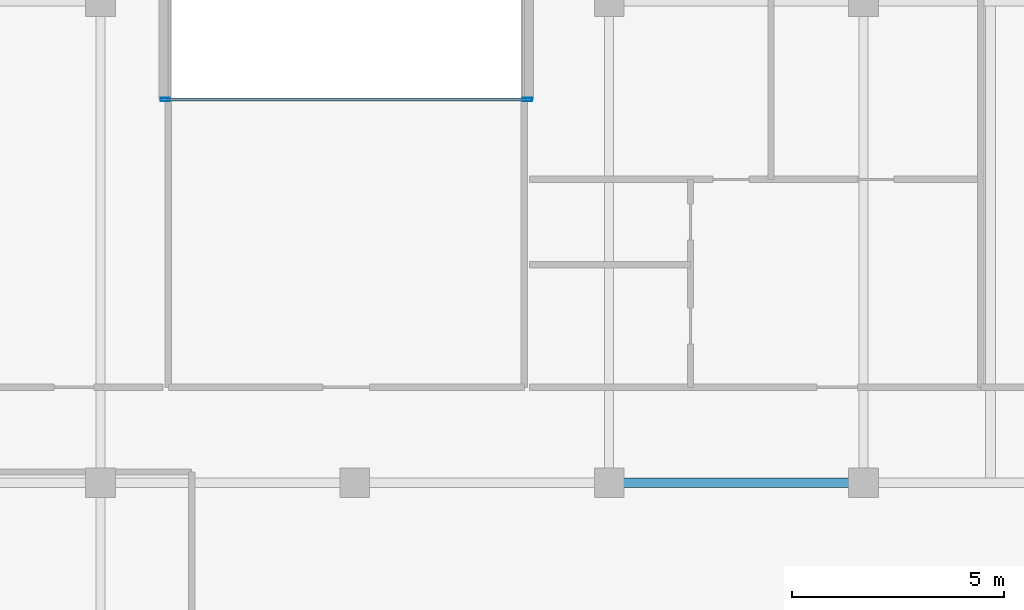
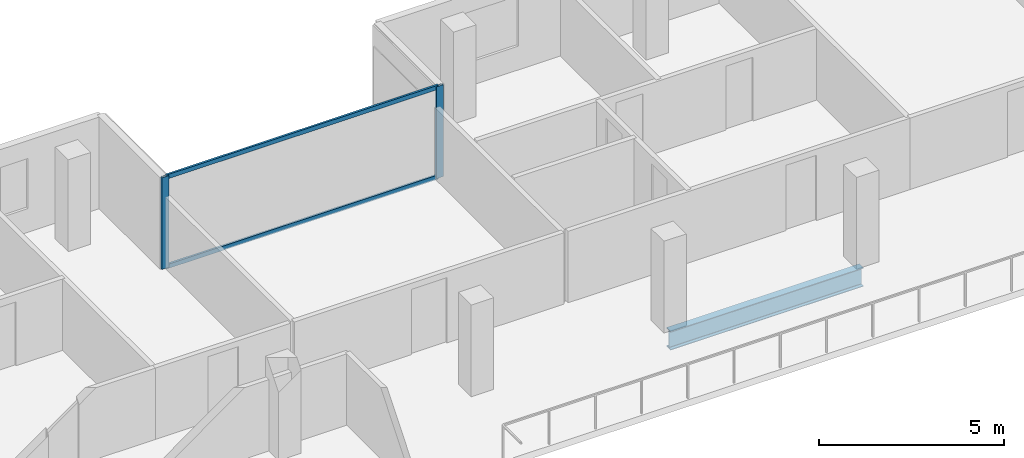
# One storey, part 8 of 24: 4 members, 1 beam, 1 element without a shape of its own.
"""IFC4 building model written with IfcOpenShell, lengths in metres."""

from ifc_helpers import new_model, si_unit, direction, frame, origin, origin_2d, place, context, subcontext, project, spatial, hollow_rectangle, i_section, extrude, material, layer, layer_set, material_profile, profile_set, type_object, element, aggregate, save


model = new_model("IFC4")

# Units and contexts
model_context = context("Model", 3, precision=1e-05, world=origin(), true_north=direction((0.0, 1.0)))
body_context = subcontext(model_context, "Body", "Model", "MODEL_VIEW")
ifc_project = project(units=[si_unit("LENGTHUNIT", "METRE"), si_unit("AREAUNIT", "SQUARE_METRE"), si_unit("VOLUMEUNIT", "CUBIC_METRE"), si_unit("PLANEANGLEUNIT", "RADIAN"), si_unit("MASSUNIT", "GRAM", prefix="KILO")], contexts=[model_context])

# Site, building, storey
site_placement = place(None, origin())
site = spatial("IfcSite", under=ifc_project, at=site_placement, CompositionType="ELEMENT")
building_placement = place(site_placement, origin())
building = spatial("IfcBuilding", under=site, at=building_placement, Name="Tanjung Sevakor Pilgrim Tower", CompositionType="ELEMENT")
storey_placement = place(building_placement, frame((0.0, 0.0, 226.050048828125)))
storey = spatial("IfcBuildingStorey", under=building, at=storey_placement, Name="L63", CompositionType="ELEMENT", Elevation=226.050048828125)

# Beam
ifc_material_1 = material(Name="Steel S355J2", Category="steel")
ifc_material_profile_1 = material_profile(ifc_material_1, i_section(OverallWidth=0.22900390625, OverallDepth=0.6123046875, WebThickness=0.011962890625, FlangeThickness=0.01953125, FilletRadius=0.0126953125, at=origin_2d()))
ifc_profile_set_1 = profile_set([ifc_material_profile_1], Name="Steel S355J2")
beam_type = type_object("IfcBeamType", Name="BM-B-G4-UB_610x229x125", PredefinedType="BEAM", material=ifc_profile_set_1)
beam_placement = place(storey_placement, frame((54.0, 42.60009765625, -0.526123046875), z_axis=(1.0, 0.0, 0.0), x_axis=(0.0, 1.0, 0.0)))
element("IfcBeam", 1, at=beam_placement, inside=storey, type_object=beam_type, Name="L63 Primary Floor Girder MAIN Y426-05", PredefinedType="BEAM", context=body_context, shape_type="SweptSolid", body=[
    extrude(i_section(OverallWidth=0.22900390625, OverallDepth=0.6123046875, WebThickness=0.011962890625, FlangeThickness=0.01953125, FilletRadius=0.0126953125, at=origin_2d()), origin(), (0.0, 0.0, 1.0), 6.0),
])

# Curtain wall, members
ifc_material_2 = material(Name="Aluminium 6063-T6 and Low-E Glass", Category="aluminium")
ifc_layer = layer(ifc_material_2, 0.179931640625)
ifc_layer_set = layer_set([ifc_layer], Name="CW-SYS-CLEFT")
curtain_wall_type = type_object("IfcCurtainWallType", Name="CW-SYS-CLEFT", PredefinedType="NOTDEFINED", material=ifc_layer_set)
curtain_wall_placement = place(storey_placement, origin())
curtain_wall = element("IfcCurtainWall", 2, at=curtain_wall_placement, inside=storey, type_object=curtain_wall_type, Name="L63 Curtain Wall CW-CLF-L63-10", PredefinedType="NOTDEFINED")
ifc_material_3 = material(Name="Aluminium 6063-T6", Category="aluminium")
ifc_material_profile_2 = material_profile(ifc_material_3, hollow_rectangle(XDim=0.074951171875, YDim=0.219970703125, WallThickness=0.0048828125, at=origin_2d()))
ifc_profile_set_2 = profile_set([ifc_material_profile_2], Name="Aluminium 6063-T6")
member_type_1 = type_object("IfcMemberType", Name="TYPE-CWM-2", PredefinedType="MULLION", material=ifc_profile_set_2)
member_1_placement = place(storey_placement, frame((52.072509765625, 51.639892578125, 0.0), z_axis=(0.0, 0.0, 1.0), x_axis=(0.0, -1.0, 0.0)))
member_1 = element("IfcMember", 3, at=member_1_placement, type_object=member_type_1, Name="CW-CLF mullion 1", PredefinedType="MULLION", context=body_context, shape_type="SweptSolid", body=[
    extrude(hollow_rectangle(XDim=0.074951171875, YDim=0.219970703125, WallThickness=0.0048828125, at=origin_2d()), origin(), (0.0, 0.0, 1.0), 3.02001953125),
])
member_2_placement = place(storey_placement, frame((43.527587890625, 51.639892578125, 0.0), z_axis=(0.0, 0.0, 1.0), x_axis=(0.0, -1.0, 0.0)))
member_2 = element("IfcMember", 4, at=member_2_placement, type_object=member_type_1, Name="CW-CLF mullion 2", PredefinedType="MULLION", context=body_context, shape_type="SweptSolid", body=[
    extrude(hollow_rectangle(XDim=0.074951171875, YDim=0.219970703125, WallThickness=0.0048828125, at=origin_2d()), origin(), (0.0, 0.0, 1.0), 3.02001953125),
])
ifc_material_4 = material(Name="Aluminium 6063-T6", Category="aluminium")
ifc_material_profile_3 = material_profile(ifc_material_4, hollow_rectangle(XDim=0.06494140625, YDim=0.139892578125, WallThickness=0.00390625, at=origin_2d()))
ifc_profile_set_3 = profile_set([ifc_material_profile_3], Name="Aluminium 6063-T6")
member_type_2 = type_object("IfcMemberType", Name="TYPE-CWT-1", PredefinedType="USERDEFINED", material=ifc_profile_set_3)
member_3_placement = place(storey_placement, frame((52.034912109375, 51.639892578125, 0.032470703125), z_axis=(-1.0, 0.0, 0.0), x_axis=(0.0, -1.0, 0.0)))
member_3 = element("IfcMember", 5, at=member_3_placement, type_object=member_type_2, Name="CW-CLF transom 1.1", ObjectType="TRANSOM", PredefinedType="USERDEFINED", context=body_context, shape_type="SweptSolid", body=[
    extrude(hollow_rectangle(XDim=0.06494140625, YDim=0.139892578125, WallThickness=0.00390625, at=origin_2d()), origin(), (0.0, 0.0, 1.0), 8.469970703125),
])
member_4_placement = place(storey_placement, frame((52.034912109375, 51.639892578125, 2.987548828125), z_axis=(-1.0, 0.0, 0.0), x_axis=(0.0, -1.0, 0.0)))
member_4 = element("IfcMember", 6, at=member_4_placement, type_object=member_type_2, Name="CW-CLF transom 1.2", ObjectType="TRANSOM", PredefinedType="USERDEFINED", context=body_context, shape_type="SweptSolid", body=[
    extrude(hollow_rectangle(XDim=0.06494140625, YDim=0.139892578125, WallThickness=0.00390625, at=origin_2d()), origin(), (0.0, 0.0, 1.0), 8.469970703125),
])
aggregate(curtain_wall, [member_1, member_2, member_3, member_4])

save(model, "model.ifc")
